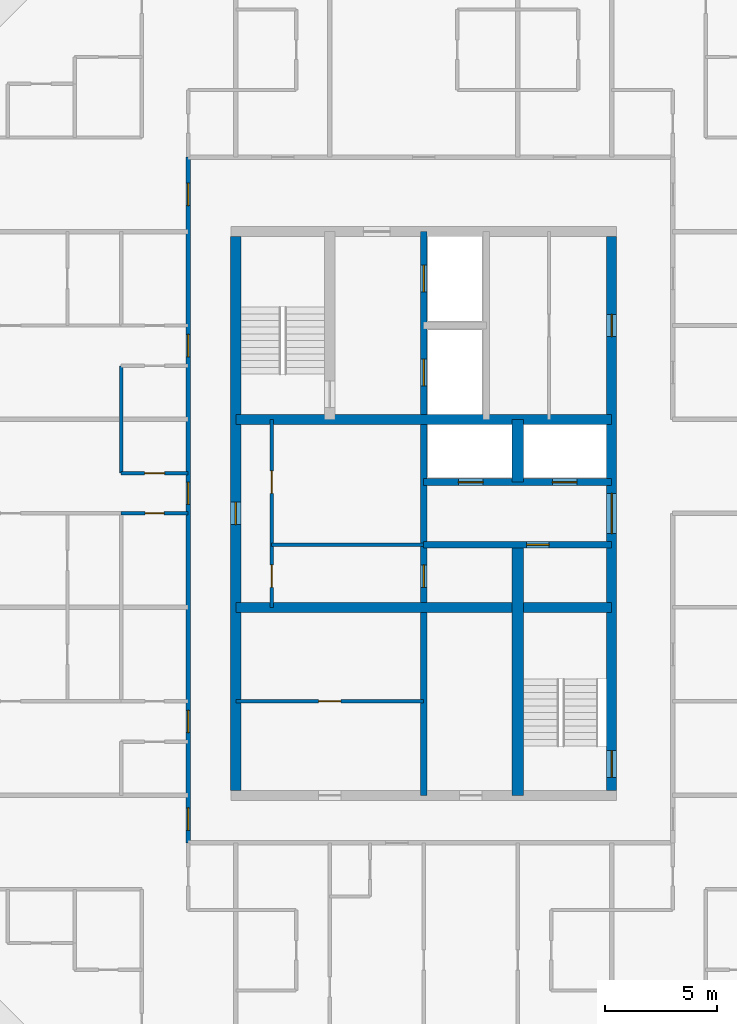
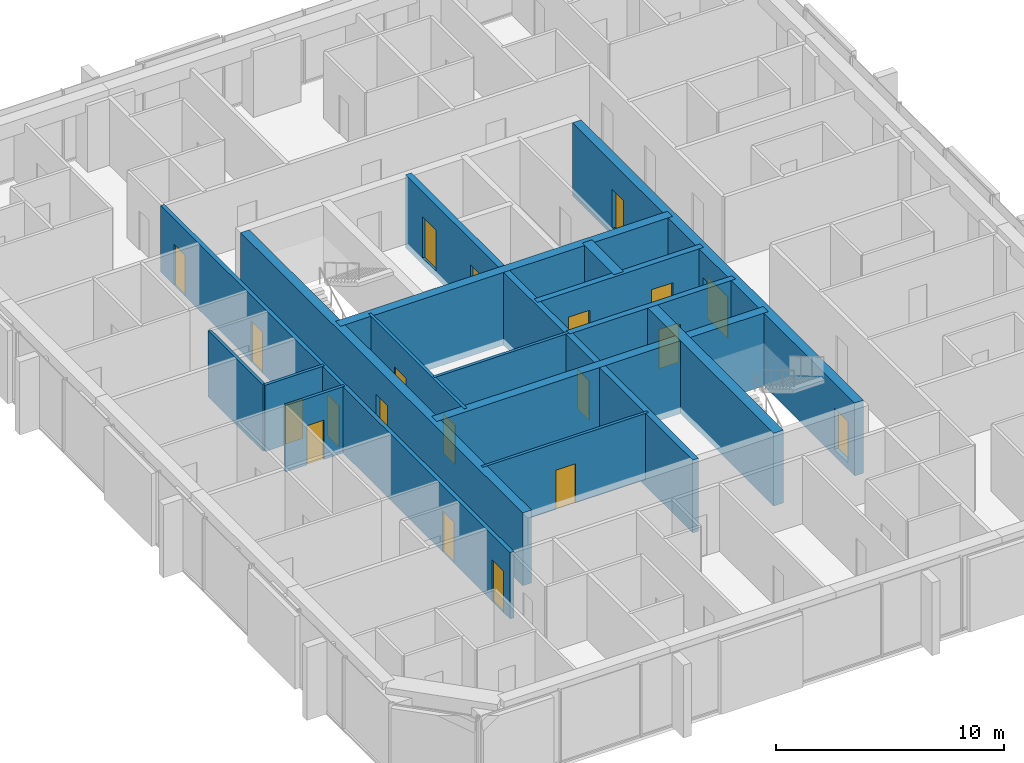
# One storey, part 8 of 12: 20 doors, 16 walls, 20 openings.
"""IFC4 building model written with IfcOpenShell, lengths in metres."""

from ifc_helpers import new_model, si_unit, direction, frame, frame_2d, origin, place, context, subcontext, project, spatial, rectangle, extrude, material, layer, layer_set, type_object, element, fill, save


model = new_model("IFC4")

# Units and contexts
model_context = context("Model", 3, precision=1e-05, world=origin(), true_north=direction((0.0, 1.0)))
body_context = subcontext(model_context, "Body", "Model", "MODEL_VIEW")
ifc_project = project(units=[si_unit("LENGTHUNIT", "METRE"), si_unit("AREAUNIT", "SQUARE_METRE"), si_unit("VOLUMEUNIT", "CUBIC_METRE"), si_unit("PLANEANGLEUNIT", "RADIAN"), si_unit("MASSUNIT", "GRAM", prefix="KILO")], contexts=[model_context])

# Site, building, storey
site_placement = place(None, origin())
site = spatial("IfcSite", under=ifc_project, at=site_placement, CompositionType="ELEMENT")
building_placement = place(site_placement, origin())
building = spatial("IfcBuilding", under=site, at=building_placement, Name="Dunama Terrace Hotel", CompositionType="ELEMENT")
storey_placement = place(building_placement, frame((0.0, 0.0, 256.800048828125)))
storey = spatial("IfcBuildingStorey", under=building, at=storey_placement, Name="L66", CompositionType="ELEMENT", Elevation=256.800048828125)

# Wall, opening, door
ifc_material_1 = material(Name="Gypsum board partition", Category="masonry")
ifc_layer_1 = layer(ifc_material_1, 0.14990234375)
ifc_layer_set_1 = layer_set([ifc_layer_1], Name="Bathroom partition 150")
wall_type_1 = type_object("IfcWallType", Name="Bathroom partition 150", PredefinedType="PARTITIONING", material=ifc_layer_set_1)
wall_1_placement = place(storey_placement, frame((20.074951171875, 29.39990234375, 0.0), z_axis=(0.0, 0.0, 1.0), x_axis=(1.0, 0.0, 0.0)))
wall_1 = element("IfcWall", 1, at=wall_1_placement, inside=storey, type_object=wall_type_1, Name="Bathroom partition 150 L66", PredefinedType="PARTITIONING", context=body_context, shape_type="SweptSolid", body=[
    extrude(rectangle(XDim=3.0, YDim=0.14990234375, at=frame_2d((1.5, 0.0))), origin(), (0.0, 0.0, 1.0), 3.550048828125),
])
opening_1_placement = place(wall_1_placement, frame((1.074951171875, 0.0, 0.0)))
opening_1 = element("IfcOpeningElement", 2, at=opening_1_placement, cuts=wall_1, Name="Opening L65-67-036", PredefinedType="OPENING", context=body_context, shape_type="SweptSolid", body=[
    extrude(rectangle(XDim=0.85009765625, YDim=2.10009765625, at=frame_2d((0.425048828125, 1.050048828125))), frame((0.0, 0.0849609375, 0.0), z_axis=(0.0, -1.0, 0.0), x_axis=(1.0, 0.0, 0.0)), (0.0, 0.0, 1.0), 0.169921875),
])
ifc_material_2 = material(Name="Timber door with steel frame", Category="steel")
door_type_1 = type_object("IfcDoorType", Name="Bathroom door 850", OperationType="SINGLE_SWING_LEFT", PredefinedType="DOOR", material=ifc_material_2)
door_1_placement = place(opening_1_placement, frame((0.85009765625, 0.0, 0.0), z_axis=(0.0, 0.0, 1.0), x_axis=(-1.0, 0.0, 0.0)))
door_1 = element("IfcDoor", 3, at=door_1_placement, inside=storey, type_object=door_type_1, Name="Door to residence bathroom L65-67-036, type D2", OperationType="SINGLE_SWING_LEFT", OverallHeight=2.10009765625, OverallWidth=0.85009765625, PredefinedType="DOOR", context=body_context, shape_type="SweptSolid", body=[
    extrude(rectangle(XDim=0.85009765625, YDim=2.10009765625, at=frame_2d((0.425048828125, 1.050048828125))), frame((0.0, 0.025146484375, 0.0), z_axis=(0.0, -1.0, 0.0), x_axis=(1.0, 0.0, 0.0)), (0.0, 0.0, 1.0), 0.050048828125),
])
fill(opening_1, door_1)

# Wall, openings, doors
ifc_material_3 = material(Name="Concrete C50/60", Category="concrete")
ifc_layer_2 = layer(ifc_material_3, 0.300048828125)
ifc_layer_set_2 = layer_set([ifc_layer_2], Name="Core inner wall 300")
wall_type_2 = type_object("IfcWallType", Name="Core inner wall 300", PredefinedType="SHEAR", material=ifc_layer_set_2)
wall_2_placement = place(storey_placement, frame((33.60009765625, 16.800048828125, -0.35009765625), z_axis=(0.0, 0.0, 1.0), x_axis=(0.0, 1.0, 0.0)))
wall_2 = element("IfcWall", 4, at=wall_2_placement, inside=storey, type_object=wall_type_2, Name="Core inner wall 300 L66", PredefinedType="SHEAR", context=body_context, shape_type="SweptSolid", body=[
    extrude(rectangle(XDim=25.199951171875, YDim=0.300048828125, at=frame_2d((12.60009765625, 0.0))), origin(), (0.0, 0.0, 1.0), 3.900146484375),
])
opening_2_placement = place(wall_2_placement, frame((22.5, 0.0, 0.35009765625)))
opening_2 = element("IfcOpeningElement", 5, at=opening_2_placement, cuts=wall_2, Name="Opening L65-67-005", PredefinedType="OPENING", context=body_context, shape_type="SweptSolid", body=[
    extrude(rectangle(XDim=1.199951171875, YDim=2.199951171875, at=frame_2d((0.60009765625, 1.10009765625))), frame((0.0, 0.159912109375, 0.0), z_axis=(0.0, -1.0, 0.0), x_axis=(1.0, 0.0, 0.0)), (0.0, 0.0, 1.0), 0.320068359375),
])
opening_3_placement = place(wall_2_placement, frame((18.300048828125, 0.0, 0.35009765625)))
opening_3 = element("IfcOpeningElement", 6, at=opening_3_placement, cuts=wall_2, Name="Opening L65-67-006", PredefinedType="OPENING", context=body_context, shape_type="SweptSolid", body=[
    extrude(rectangle(XDim=1.199951171875, YDim=2.199951171875, at=frame_2d((0.60009765625, 1.10009765625))), frame((0.0, 0.159912109375, 0.0), z_axis=(0.0, -1.0, 0.0), x_axis=(1.0, 0.0, 0.0)), (0.0, 0.0, 1.0), 0.320068359375),
])
opening_4_placement = place(wall_2_placement, frame((9.300048828125, 0.0, 0.35009765625)))
opening_4 = element("IfcOpeningElement", 7, at=opening_4_placement, cuts=wall_2, Name="Opening L65-67-067", PredefinedType="OPENING", context=body_context, shape_type="SweptSolid", body=[
    extrude(rectangle(XDim=1.0, YDim=2.10009765625, at=frame_2d((0.5, 1.050048828125))), frame((0.0, 0.159912109375, 0.0), z_axis=(0.0, -1.0, 0.0), x_axis=(1.0, 0.0, 0.0)), (0.0, 0.0, 1.0), 0.320068359375),
])
ifc_material_4 = material(Name="Stainless steel lift door", Category="steel")
door_type_2 = type_object("IfcDoorType", Name="Firefighting lift landing door 1200", OperationType="DOUBLE_DOOR_SLIDING", PredefinedType="DOOR", material=ifc_material_4)
door_2_placement = place(opening_2_placement, origin())
door_2 = element("IfcDoor", 8, at=door_2_placement, inside=storey, type_object=door_type_2, Name="Landing door FL1 L65-67-005, type LD2", OperationType="DOUBLE_DOOR_SLIDING", OverallHeight=2.199951171875, OverallWidth=1.199951171875, PredefinedType="DOOR", context=body_context, shape_type="SweptSolid", body=[
    extrude(rectangle(XDim=1.199951171875, YDim=2.199951171875, at=frame_2d((0.60009765625, 1.10009765625))), frame((0.0, 0.02490234375, 0.0), z_axis=(0.0, -1.0, 0.0), x_axis=(1.0, 0.0, 0.0)), (0.0, 0.0, 1.0), 0.050048828125),
])
fill(opening_2, door_2)
door_3_placement = place(opening_3_placement, origin())
door_3 = element("IfcDoor", 9, at=door_3_placement, inside=storey, type_object=door_type_2, Name="Landing door FL2 L65-67-006, type LD2", OperationType="DOUBLE_DOOR_SLIDING", OverallHeight=2.199951171875, OverallWidth=1.199951171875, PredefinedType="DOOR", context=body_context, shape_type="SweptSolid", body=[
    extrude(rectangle(XDim=1.199951171875, YDim=2.199951171875, at=frame_2d((0.60009765625, 1.10009765625))), frame((0.0, 0.02490234375, 0.0), z_axis=(0.0, -1.0, 0.0), x_axis=(1.0, 0.0, 0.0)), (0.0, 0.0, 1.0), 0.050048828125),
])
fill(opening_3, door_3)
ifc_material_5 = material(Name="Timber door with steel frame", Category="steel")
door_type_3 = type_object("IfcDoorType", Name="Service door 1000", OperationType="SINGLE_SWING_LEFT", PredefinedType="DOOR", material=ifc_material_5)
door_4_placement = place(opening_4_placement, frame((1.0, 0.0, 0.0), z_axis=(0.0, 0.0, 1.0), x_axis=(-1.0, 0.0, 0.0)))
door_4 = element("IfcDoor", 10, at=door_4_placement, inside=storey, type_object=door_type_3, Name="Door to service riser L65-67-067, type D7", OperationType="SINGLE_SWING_RIGHT", OverallHeight=2.10009765625, OverallWidth=1.0, PredefinedType="DOOR", context=body_context, shape_type="SweptSolid", body=[
    extrude(rectangle(XDim=1.0, YDim=2.10009765625, at=frame_2d((0.5, 1.050048828125))), frame((0.0, 0.025146484375, 0.0), z_axis=(0.0, -1.0, 0.0), x_axis=(1.0, 0.0, 0.0)), (0.0, 0.0, 1.0), 0.050048828125),
])
fill(opening_4, door_4)

# Wall, opening, door
wall_3_placement = place(storey_placement, frame((33.60009765625, 28.0, -0.35009765625), z_axis=(0.0, 0.0, 1.0), x_axis=(1.0, 0.0, 0.0)))
wall_3 = element("IfcWall", 11, at=wall_3_placement, inside=storey, type_object=wall_type_2, Name="Core inner wall 300 L66", PredefinedType="SHEAR", context=body_context, shape_type="SweptSolid", body=[
    extrude(rectangle(XDim=8.39990234375, YDim=0.300048828125, at=frame_2d((4.199951171875, 0.0))), origin(), (0.0, 0.0, 1.0), 3.900146484375),
])
opening_5_placement = place(wall_3_placement, frame((4.60009765625, 0.0, 0.35009765625)))
opening_5 = element("IfcOpeningElement", 12, at=opening_5_placement, cuts=wall_3, Name="Opening L65-67-068", PredefinedType="OPENING", context=body_context, shape_type="SweptSolid", body=[
    extrude(rectangle(XDim=1.0, YDim=2.10009765625, at=frame_2d((0.5, 1.050048828125))), frame((0.0, 0.159912109375, 0.0), z_axis=(0.0, -1.0, 0.0), x_axis=(1.0, 0.0, 0.0)), (0.0, 0.0, 1.0), 0.320068359375),
])
door_5_placement = place(opening_5_placement, frame((1.0, 0.0, 0.0), z_axis=(0.0, 0.0, 1.0), x_axis=(-1.0, 0.0, 0.0)))
door_5 = element("IfcDoor", 13, at=door_5_placement, inside=storey, type_object=door_type_3, Name="Door to ice and vending room L65-67-068, type D7", OperationType="SINGLE_SWING_RIGHT", OverallHeight=2.10009765625, OverallWidth=1.0, PredefinedType="DOOR", context=body_context, shape_type="SweptSolid", body=[
    extrude(rectangle(XDim=1.0, YDim=2.10009765625, at=frame_2d((0.5, 1.050048828125))), frame((0.0, 0.025146484375, 0.0), z_axis=(0.0, -1.0, 0.0), x_axis=(1.0, 0.0, 0.0)), (0.0, 0.0, 1.0), 0.050048828125),
])
fill(opening_5, door_5)

# Wall, openings, doors
wall_4_placement = place(storey_placement, frame((33.60009765625, 30.800048828125, -0.35009765625), z_axis=(0.0, 0.0, 1.0), x_axis=(1.0, 0.0, 0.0)))
wall_4 = element("IfcWall", 14, at=wall_4_placement, inside=storey, type_object=wall_type_2, Name="Core inner wall 300 L66", PredefinedType="SHEAR", context=body_context, shape_type="SweptSolid", body=[
    extrude(rectangle(XDim=8.39990234375, YDim=0.300048828125, at=frame_2d((4.199951171875, 0.0))), origin(), (0.0, 0.0, 1.0), 3.900146484375),
])
opening_6_placement = place(wall_4_placement, frame((1.550048828125, 0.0, 0.35009765625)))
opening_6 = element("IfcOpeningElement", 15, at=opening_6_placement, cuts=wall_4, Name="Opening L65-67-003", PredefinedType="OPENING", context=body_context, shape_type="SweptSolid", body=[
    extrude(rectangle(XDim=1.10009765625, YDim=2.199951171875, at=frame_2d((0.550048828125, 1.10009765625))), frame((0.0, 0.159912109375, 0.0), z_axis=(0.0, -1.0, 0.0), x_axis=(1.0, 0.0, 0.0)), (0.0, 0.0, 1.0), 0.320068359375),
])
opening_7_placement = place(wall_4_placement, frame((5.75, 0.0, 0.35009765625)))
opening_7 = element("IfcOpeningElement", 16, at=opening_7_placement, cuts=wall_4, Name="Opening L65-67-004", PredefinedType="OPENING", context=body_context, shape_type="SweptSolid", body=[
    extrude(rectangle(XDim=1.10009765625, YDim=2.199951171875, at=frame_2d((0.550048828125, 1.10009765625))), frame((0.0, 0.159912109375, 0.0), z_axis=(0.0, -1.0, 0.0), x_axis=(1.0, 0.0, 0.0)), (0.0, 0.0, 1.0), 0.320068359375),
])
ifc_material_6 = material(Name="Stainless steel lift door", Category="steel")
door_type_4 = type_object("IfcDoorType", Name="Lift landing door 1100", OperationType="DOUBLE_DOOR_SLIDING", PredefinedType="DOOR", material=ifc_material_6)
door_6_placement = place(opening_6_placement, origin())
door_6 = element("IfcDoor", 17, at=door_6_placement, inside=storey, type_object=door_type_4, Name="Landing door PD1 L65-67-003, type LD1", OperationType="DOUBLE_DOOR_SLIDING", OverallHeight=2.199951171875, OverallWidth=1.10009765625, PredefinedType="DOOR", context=body_context, shape_type="SweptSolid", body=[
    extrude(rectangle(XDim=1.10009765625, YDim=2.199951171875, at=frame_2d((0.550048828125, 1.10009765625))), frame((0.0, 0.02490234375, 0.0), z_axis=(0.0, -1.0, 0.0), x_axis=(1.0, 0.0, 0.0)), (0.0, 0.0, 1.0), 0.050048828125),
])
fill(opening_6, door_6)
door_7_placement = place(opening_7_placement, origin())
door_7 = element("IfcDoor", 18, at=door_7_placement, inside=storey, type_object=door_type_4, Name="Landing door PD2 L65-67-004, type LD1", OperationType="DOUBLE_DOOR_SLIDING", OverallHeight=2.199951171875, OverallWidth=1.10009765625, PredefinedType="DOOR", context=body_context, shape_type="SweptSolid", body=[
    extrude(rectangle(XDim=1.10009765625, YDim=2.199951171875, at=frame_2d((0.550048828125, 1.10009765625))), frame((0.0, 0.02490234375, 0.0), z_axis=(0.0, -1.0, 0.0), x_axis=(1.0, 0.0, 0.0)), (0.0, 0.0, 1.0), 0.050048828125),
])
fill(opening_7, door_7)

# Walls
ifc_material_7 = material(Name="Concrete C50/60", Category="concrete")
ifc_layer_3 = layer(ifc_material_7, 0.449951171875)
ifc_layer_set_3 = layer_set([ifc_layer_3], Name="Core inner wall 450")
wall_type_3 = type_object("IfcWallType", Name="Core inner wall 450", PredefinedType="SHEAR", material=ifc_layer_set_3)
for number, where, z_axis, x_axis, name in (
    (19, (25.199951171875, 25.199951171875, -0.35009765625), (0.0, 0.0, 1.0), (1.0, 0.0, 0.0), "Core inner wall 450 L66"),
    (20, (25.199951171875, 33.60009765625, -0.35009765625), (0.0, 0.0, 1.0), (1.0, 0.0, 0.0), "Core inner wall 450 L66"),
):
    element("IfcWall", number, at=place(storey_placement, frame(where, z_axis=z_axis, x_axis=x_axis)), inside=storey, type_object=wall_type_3, Name=name, PredefinedType="SHEAR", context=body_context, shape_type="SweptSolid", body=[
        extrude(rectangle(XDim=16.800048828125, YDim=0.449951171875, at=frame_2d((8.39990234375, 0.0))), origin(), (0.0, 0.0, 1.0), 3.900146484375),
    ])
ifc_material_8 = material(Name="Concrete C50/60", Category="concrete")
ifc_layer_4 = layer(ifc_material_8, 0.5)
ifc_layer_set_4 = layer_set([ifc_layer_4], Name="Core inner wall 500")
wall_type_4 = type_object("IfcWallType", Name="Core inner wall 500", PredefinedType="SHEAR", material=ifc_layer_set_4)
wall_5_placement = place(storey_placement, frame((37.800048828125, 16.800048828125, -0.35009765625), z_axis=(0.0, 0.0, 1.0), x_axis=(0.0, 1.0, 0.0)))
element("IfcWall", 21, at=wall_5_placement, inside=storey, type_object=wall_type_4, Name="Core inner wall 500 L66", PredefinedType="SHEAR", context=body_context, shape_type="SweptSolid", body=[
    extrude(rectangle(XDim=11.199951171875, YDim=0.5, at=frame_2d((5.60009765625, 0.0))), origin(), (0.0, 0.0, 1.0), 3.900146484375),
])
wall_6_placement = place(storey_placement, frame((37.800048828125, 30.800048828125, -0.35009765625), z_axis=(0.0, 0.0, 1.0), x_axis=(0.0, 1.0, 0.0)))
element("IfcWall", 22, at=wall_6_placement, inside=storey, type_object=wall_type_4, Name="Core inner wall 500 L66", PredefinedType="SHEAR", context=body_context, shape_type="SweptSolid", body=[
    extrude(rectangle(XDim=2.800048828125, YDim=0.5, at=frame_2d((1.39990234375, 0.0))), origin(), (0.0, 0.0, 1.0), 3.900146484375),
])

# Wall, openings, doors
ifc_material_9 = material(Name="Concrete C50/60", Category="concrete")
ifc_layer_5 = layer(ifc_material_9, 0.449951171875)
ifc_layer_set_5 = layer_set([ifc_layer_5], Name="Core wall 450")
wall_type_5 = type_object("IfcWallType", Name="Core wall 450", PredefinedType="SHEAR", material=ifc_layer_set_5)
wall_7_placement = place(storey_placement, frame((42.0, 17.02490234375, -0.35009765625), z_axis=(0.0, 0.0, 1.0), x_axis=(0.0, 1.0, 0.0)))
wall_7 = element("IfcWall", 23, at=wall_7_placement, inside=storey, type_object=wall_type_5, Name="Core wall east L66", PredefinedType="SHEAR", context=body_context, shape_type="SweptSolid", body=[
    extrude(rectangle(XDim=24.75, YDim=0.449951171875, at=frame_2d((12.375, 0.0))), origin(), (0.0, 0.0, 1.0), 3.900146484375),
])
opening_8_placement = place(wall_7_placement, frame((0.574951171875, 0.0, 0.35009765625)))
opening_8 = element("IfcOpeningElement", 24, at=opening_8_placement, cuts=wall_7, Name="Opening L65-67-002", PredefinedType="OPENING", context=body_context, shape_type="SweptSolid", body=[
    extrude(rectangle(XDim=1.199951171875, YDim=2.199951171875, at=frame_2d((0.60009765625, 1.10009765625))), frame((0.0, 0.23486328125, 0.0), z_axis=(0.0, -1.0, 0.0), x_axis=(1.0, 0.0, 0.0)), (0.0, 0.0, 1.0), 0.469970703125),
])
opening_9_placement = place(wall_7_placement, frame((11.47509765625, 0.0, 0.35009765625)))
opening_9 = element("IfcOpeningElement", 25, at=opening_9_placement, cuts=wall_7, Name="Opening L65-67-069", PredefinedType="OPENING", context=body_context, shape_type="SweptSolid", body=[
    extrude(rectangle(XDim=1.800048828125, YDim=2.199951171875, at=frame_2d((0.89990234375, 1.10009765625))), frame((0.0, 0.23486328125, 0.0), z_axis=(0.0, -1.0, 0.0), x_axis=(1.0, 0.0, 0.0)), (0.0, 0.0, 1.0), 0.469970703125),
])
opening_10_placement = place(wall_7_placement, frame((20.27490234375, 0.0, 0.35009765625)))
opening_10 = element("IfcOpeningElement", 26, at=opening_10_placement, cuts=wall_7, Name="Opening L65-67-071", PredefinedType="OPENING", context=body_context, shape_type="SweptSolid", body=[
    extrude(rectangle(XDim=1.0, YDim=2.10009765625, at=frame_2d((0.5, 1.050048828125))), frame((0.0, 0.23486328125, 0.0), z_axis=(0.0, -1.0, 0.0), x_axis=(1.0, 0.0, 0.0)), (0.0, 0.0, 1.0), 0.469970703125),
])
ifc_material_10 = material(Name="Timber door with steel frame", Category="steel")
door_type_5 = type_object("IfcDoorType", Name="Lift lobby double door 1800", OperationType="DOUBLE_DOOR_DOUBLE_SWING", PredefinedType="DOOR", material=ifc_material_10)
door_8_placement = place(opening_9_placement, origin())
door_8 = element("IfcDoor", 27, at=door_8_placement, inside=storey, type_object=door_type_5, Name="Door to lift lobby L65-67-069, type D3", OperationType="DOUBLE_DOOR_DOUBLE_SWING", OverallHeight=2.199951171875, OverallWidth=1.800048828125, PredefinedType="DOOR", context=body_context, shape_type="SweptSolid", body=[
    extrude(rectangle(XDim=1.800048828125, YDim=2.199951171875, at=frame_2d((0.89990234375, 1.10009765625))), frame((0.0, 0.02490234375, 0.0), z_axis=(0.0, -1.0, 0.0), x_axis=(1.0, 0.0, 0.0)), (0.0, 0.0, 1.0), 0.050048828125),
])
fill(opening_9, door_8)
door_9_placement = place(opening_10_placement, origin())
door_9 = element("IfcDoor", 28, at=door_9_placement, inside=storey, type_object=door_type_3, Name="Door to housekeeping store L65-67-071, type D7", OperationType="SINGLE_SWING_LEFT", OverallHeight=2.10009765625, OverallWidth=1.0, PredefinedType="DOOR", context=body_context, shape_type="SweptSolid", body=[
    extrude(rectangle(XDim=1.0, YDim=2.10009765625, at=frame_2d((0.5, 1.050048828125))), frame((0.0, 0.02490234375, 0.0), z_axis=(0.0, -1.0, 0.0), x_axis=(1.0, 0.0, 0.0)), (0.0, 0.0, 1.0), 0.050048828125),
])
fill(opening_10, door_9)
ifc_material_11 = material(Name="Timber door with steel frame", Category="steel")
door_type_6 = type_object("IfcDoorType", Name="Stair door 1200", OperationType="SINGLE_SWING_LEFT", PredefinedType="DOOR", material=ifc_material_11)
door_10_placement = place(opening_8_placement, origin())
door_10 = element("IfcDoor", 29, at=door_10_placement, inside=storey, type_object=door_type_6, Name="Stair door ST2 L65-67-002, type D5", OperationType="SINGLE_SWING_LEFT", OverallHeight=2.199951171875, OverallWidth=1.199951171875, PredefinedType="DOOR", context=body_context, shape_type="SweptSolid", body=[
    extrude(rectangle(XDim=1.199951171875, YDim=2.199951171875, at=frame_2d((0.60009765625, 1.10009765625))), frame((0.0, 0.02490234375, 0.0), z_axis=(0.0, -1.0, 0.0), x_axis=(1.0, 0.0, 0.0)), (0.0, 0.0, 1.0), 0.050048828125),
])
fill(opening_8, door_10)

# Wall, opening, door
wall_8_placement = place(storey_placement, frame((25.199951171875, 41.77490234375, -0.35009765625), z_axis=(0.0, 0.0, 1.0), x_axis=(0.0, -1.0, 0.0)))
wall_8 = element("IfcWall", 30, at=wall_8_placement, inside=storey, type_object=wall_type_5, Name="Core wall west L66", PredefinedType="SHEAR", context=body_context, shape_type="SweptSolid", body=[
    extrude(rectangle(XDim=24.75, YDim=0.449951171875, at=frame_2d((12.375, 0.0))), origin(), (0.0, 0.0, 1.0), 3.900146484375),
])
opening_11_placement = place(wall_8_placement, frame((11.875, 0.0, 0.35009765625)))
opening_11 = element("IfcOpeningElement", 31, at=opening_11_placement, cuts=wall_8, Name="Opening L65-67-064", PredefinedType="OPENING", context=body_context, shape_type="SweptSolid", body=[
    extrude(rectangle(XDim=1.0, YDim=2.10009765625, at=frame_2d((0.5, 1.050048828125))), frame((0.0, 0.23486328125, 0.0), z_axis=(0.0, -1.0, 0.0), x_axis=(1.0, 0.0, 0.0)), (0.0, 0.0, 1.0), 0.469970703125),
])
door_11_placement = place(opening_11_placement, origin())
door_11 = element("IfcDoor", 32, at=door_11_placement, inside=storey, type_object=door_type_3, Name="Door to staff passage L65-67-064, type D7", OperationType="SINGLE_SWING_LEFT", OverallHeight=2.10009765625, OverallWidth=1.0, PredefinedType="DOOR", context=body_context, shape_type="SweptSolid", body=[
    extrude(rectangle(XDim=1.0, YDim=2.10009765625, at=frame_2d((0.5, 1.050048828125))), frame((0.0, 0.02490234375, 0.0), z_axis=(0.0, -1.0, 0.0), x_axis=(1.0, 0.0, 0.0)), (0.0, 0.0, 1.0), 0.050048828125),
])
fill(opening_11, door_11)

# Wall, openings, doors
ifc_material_12 = material(Name="Concrete blockwork", Category="masonry")
ifc_layer_6 = layer(ifc_material_12, 0.199951171875)
ifc_layer_set_6 = layer_set([ifc_layer_6], Name="Corridor partition 200")
wall_type_6 = type_object("IfcWallType", Name="Corridor partition 200", PredefinedType="PARTITIONING", material=ifc_layer_set_6)
wall_9_placement = place(storey_placement, frame((23.074951171875, 14.675048828125, 0.0), z_axis=(0.0, 0.0, 1.0), x_axis=(0.0, 1.0, 0.0)))
wall_9 = element("IfcWall", 33, at=wall_9_placement, inside=storey, type_object=wall_type_6, Name="Corridor partition 200 L66", PredefinedType="PARTITIONING", context=body_context, shape_type="SweptSolid", body=[
    extrude(rectangle(XDim=30.64990234375, YDim=0.199951171875, at=frame_2d((15.324951171875, 0.0))), origin(), (0.0, 0.0, 1.0), 3.550048828125),
])
opening_12_placement = place(wall_9_placement, frame((4.925048828125, 0.0, 0.0)))
opening_12 = element("IfcOpeningElement", 34, at=opening_12_placement, cuts=wall_9, Name="Opening L65-67-029", PredefinedType="OPENING", context=body_context, shape_type="SweptSolid", body=[
    extrude(rectangle(XDim=1.0, YDim=2.199951171875, at=frame_2d((0.5, 1.10009765625))), frame((0.0, 0.10986328125, 0.0), z_axis=(0.0, -1.0, 0.0), x_axis=(1.0, 0.0, 0.0)), (0.0, 0.0, 1.0), 0.219970703125),
])
opening_13_placement = place(wall_9_placement, frame((15.125, 0.0, 0.0)))
opening_13 = element("IfcOpeningElement", 35, at=opening_13_placement, cuts=wall_9, Name="Opening L65-67-034", PredefinedType="OPENING", context=body_context, shape_type="SweptSolid", body=[
    extrude(rectangle(XDim=1.0, YDim=2.199951171875, at=frame_2d((0.5, 1.10009765625))), frame((0.0, 0.10986328125, 0.0), z_axis=(0.0, -1.0, 0.0), x_axis=(1.0, 0.0, 0.0)), (0.0, 0.0, 1.0), 0.219970703125),
])
opening_14_placement = place(wall_9_placement, frame((21.72509765625, 0.0, 0.0)))
opening_14 = element("IfcOpeningElement", 36, at=opening_14_placement, cuts=wall_9, Name="Opening L65-67-039", PredefinedType="OPENING", context=body_context, shape_type="SweptSolid", body=[
    extrude(rectangle(XDim=1.0, YDim=2.199951171875, at=frame_2d((0.5, 1.10009765625))), frame((0.0, 0.10986328125, 0.0), z_axis=(0.0, -1.0, 0.0), x_axis=(1.0, 0.0, 0.0)), (0.0, 0.0, 1.0), 0.219970703125),
])
opening_15_placement = place(wall_9_placement, frame((0.56298828125, 0.0, 0.0)))
opening_15 = element("IfcOpeningElement", 37, at=opening_15_placement, cuts=wall_9, Name="Opening L65-67-044", PredefinedType="OPENING", context=body_context, shape_type="SweptSolid", body=[
    extrude(rectangle(XDim=1.0, YDim=2.199951171875, at=frame_2d((0.5, 1.10009765625))), frame((0.0, 0.10986328125, 0.0), z_axis=(0.0, -1.0, 0.0), x_axis=(1.0, 0.0, 0.0)), (0.0, 0.0, 1.0), 0.219970703125),
])
opening_16_placement = place(wall_9_placement, frame((28.488037109375, 0.0, 0.0)))
opening_16 = element("IfcOpeningElement", 38, at=opening_16_placement, cuts=wall_9, Name="Opening L65-67-059", PredefinedType="OPENING", context=body_context, shape_type="SweptSolid", body=[
    extrude(rectangle(XDim=1.0, YDim=2.199951171875, at=frame_2d((0.5, 1.10009765625))), frame((0.0, 0.10986328125, 0.0), z_axis=(0.0, -1.0, 0.0), x_axis=(1.0, 0.0, 0.0)), (0.0, 0.0, 1.0), 0.219970703125),
])
ifc_material_13 = material(Name="Timber door with steel frame", Category="steel")
door_type_7 = type_object("IfcDoorType", Name="Guest room door 1000", OperationType="SINGLE_SWING_LEFT", PredefinedType="DOOR", material=ifc_material_13)
door_12_placement = place(opening_12_placement, origin())
door_12 = element("IfcDoor", 39, at=door_12_placement, inside=storey, type_object=door_type_7, Name="Door to residence living room L65-67-029, type D1", OperationType="SINGLE_SWING_RIGHT", OverallHeight=2.199951171875, OverallWidth=1.0, PredefinedType="DOOR", context=body_context, shape_type="SweptSolid", body=[
    extrude(rectangle(XDim=1.0, YDim=2.199951171875, at=frame_2d((0.5, 1.10009765625))), frame((0.0, 0.02490234375, 0.0), z_axis=(0.0, -1.0, 0.0), x_axis=(1.0, 0.0, 0.0)), (0.0, 0.0, 1.0), 0.050048828125),
])
fill(opening_12, door_12)
door_13_placement = place(opening_13_placement, origin())
door_13 = element("IfcDoor", 40, at=door_13_placement, inside=storey, type_object=door_type_7, Name="Door to residence living room L65-67-034, type D1", OperationType="SINGLE_SWING_RIGHT", OverallHeight=2.199951171875, OverallWidth=1.0, PredefinedType="DOOR", context=body_context, shape_type="SweptSolid", body=[
    extrude(rectangle(XDim=1.0, YDim=2.199951171875, at=frame_2d((0.5, 1.10009765625))), frame((0.0, 0.02490234375, 0.0), z_axis=(0.0, -1.0, 0.0), x_axis=(1.0, 0.0, 0.0)), (0.0, 0.0, 1.0), 0.050048828125),
])
fill(opening_13, door_13)
door_14_placement = place(opening_14_placement, origin())
door_14 = element("IfcDoor", 41, at=door_14_placement, inside=storey, type_object=door_type_7, Name="Door to residence living room L65-67-039, type D1", OperationType="SINGLE_SWING_RIGHT", OverallHeight=2.199951171875, OverallWidth=1.0, PredefinedType="DOOR", context=body_context, shape_type="SweptSolid", body=[
    extrude(rectangle(XDim=1.0, YDim=2.199951171875, at=frame_2d((0.5, 1.10009765625))), frame((0.0, 0.02490234375, 0.0), z_axis=(0.0, -1.0, 0.0), x_axis=(1.0, 0.0, 0.0)), (0.0, 0.0, 1.0), 0.050048828125),
])
fill(opening_14, door_14)
door_15_placement = place(opening_15_placement, origin())
door_15 = element("IfcDoor", 42, at=door_15_placement, inside=storey, type_object=door_type_7, Name="Door to grand corner suite living room L65-67-044, type D1", OperationType="SINGLE_SWING_RIGHT", OverallHeight=2.199951171875, OverallWidth=1.0, PredefinedType="DOOR", context=body_context, shape_type="SweptSolid", body=[
    extrude(rectangle(XDim=1.0, YDim=2.199951171875, at=frame_2d((0.5, 1.10009765625))), frame((0.0, 0.02490234375, 0.0), z_axis=(0.0, -1.0, 0.0), x_axis=(1.0, 0.0, 0.0)), (0.0, 0.0, 1.0), 0.050048828125),
])
fill(opening_15, door_15)
door_16_placement = place(opening_16_placement, origin())
door_16 = element("IfcDoor", 43, at=door_16_placement, inside=storey, type_object=door_type_7, Name="Door to grand corner suite living room L65-67-059, type D1", OperationType="SINGLE_SWING_RIGHT", OverallHeight=2.199951171875, OverallWidth=1.0, PredefinedType="DOOR", context=body_context, shape_type="SweptSolid", body=[
    extrude(rectangle(XDim=1.0, YDim=2.199951171875, at=frame_2d((0.5, 1.10009765625))), frame((0.0, 0.02490234375, 0.0), z_axis=(0.0, -1.0, 0.0), x_axis=(1.0, 0.0, 0.0)), (0.0, 0.0, 1.0), 0.050048828125),
])
fill(opening_16, door_16)

# Wall
ifc_material_14 = material(Name="Gypsum board partition", Category="masonry")
ifc_layer_7 = layer(ifc_material_14, 0.14990234375)
ifc_layer_set_7 = layer_set([ifc_layer_7], Name="Room partition 150")
wall_type_7 = type_object("IfcWallType", Name="Room partition 150", PredefinedType="PARTITIONING", material=ifc_layer_set_7)
wall_10_placement = place(storey_placement, frame((20.074951171875, 31.199951171875, 0.0), z_axis=(0.0, 0.0, 1.0), x_axis=(0.0, 1.0, 0.0)))
element("IfcWall", 44, at=wall_10_placement, inside=storey, type_object=wall_type_7, Name="Room partition 150 L66", PredefinedType="PARTITIONING", context=body_context, shape_type="SweptSolid", body=[
    extrude(rectangle(XDim=4.800048828125, YDim=0.14990234375, at=frame_2d((2.39990234375, 0.0))), origin(), (0.0, 0.0, 1.0), 3.550048828125),
])

# Wall, openings, doors
wall_11_placement = place(storey_placement, frame((26.800048828125, 25.199951171875, 0.0), z_axis=(0.0, 0.0, 1.0), x_axis=(0.0, 1.0, 0.0)))
wall_11 = element("IfcWall", 45, at=wall_11_placement, inside=storey, type_object=wall_type_7, Name="Room partition 150 L66", PredefinedType="PARTITIONING", context=body_context, shape_type="SweptSolid", body=[
    extrude(rectangle(XDim=8.400146484375, YDim=0.14990234375, at=frame_2d((4.2001953125, 0.0))), origin(), (0.0, 0.0, 1.0), 3.550048828125),
])
opening_17_placement = place(wall_11_placement, frame((0.89990234375, 0.0, 0.0)))
opening_17 = element("IfcOpeningElement", 46, at=opening_17_placement, cuts=wall_11, Name="Opening L65-67-065", PredefinedType="OPENING", context=body_context, shape_type="SweptSolid", body=[
    extrude(rectangle(XDim=1.0, YDim=2.10009765625, at=frame_2d((0.5, 1.050048828125))), frame((0.0, 0.0849609375, 0.0), z_axis=(0.0, -1.0, 0.0), x_axis=(1.0, 0.0, 0.0)), (0.0, 0.0, 1.0), 0.169921875),
])
opening_18_placement = place(wall_11_placement, frame((5.10009765625, 0.0, 0.0)))
opening_18 = element("IfcOpeningElement", 47, at=opening_18_placement, cuts=wall_11, Name="Opening L65-67-066", PredefinedType="OPENING", context=body_context, shape_type="SweptSolid", body=[
    extrude(rectangle(XDim=1.0, YDim=2.10009765625, at=frame_2d((0.5, 1.050048828125))), frame((0.0, 0.0849609375, 0.0), z_axis=(0.0, -1.0, 0.0), x_axis=(1.0, 0.0, 0.0)), (0.0, 0.0, 1.0), 0.169921875),
])
door_17_placement = place(opening_17_placement, frame((1.0, 0.0, 0.0), z_axis=(0.0, 0.0, 1.0), x_axis=(-1.0, 0.0, 0.0)))
door_17 = element("IfcDoor", 48, at=door_17_placement, inside=storey, type_object=door_type_3, Name="Door to riser room L65-67-065, type D7", OperationType="SINGLE_SWING_RIGHT", OverallHeight=2.10009765625, OverallWidth=1.0, PredefinedType="DOOR", context=body_context, shape_type="SweptSolid", body=[
    extrude(rectangle(XDim=1.0, YDim=2.10009765625, at=frame_2d((0.5, 1.050048828125))), frame((0.0, 0.025146484375, 0.0), z_axis=(0.0, -1.0, 0.0), x_axis=(1.0, 0.0, 0.0)), (0.0, 0.0, 1.0), 0.050048828125),
])
fill(opening_17, door_17)
door_18_placement = place(opening_18_placement, frame((1.0, 0.0, 0.0), z_axis=(0.0, 0.0, 1.0), x_axis=(-1.0, 0.0, 0.0)))
door_18 = element("IfcDoor", 49, at=door_18_placement, inside=storey, type_object=door_type_3, Name="Door to linen and housekeeping room L65-67-066, type D7", OperationType="SINGLE_SWING_RIGHT", OverallHeight=2.10009765625, OverallWidth=1.0, PredefinedType="DOOR", context=body_context, shape_type="SweptSolid", body=[
    extrude(rectangle(XDim=1.0, YDim=2.10009765625, at=frame_2d((0.5, 1.050048828125))), frame((0.0, 0.025146484375, 0.0), z_axis=(0.0, -1.0, 0.0), x_axis=(1.0, 0.0, 0.0)), (0.0, 0.0, 1.0), 0.050048828125),
])
fill(opening_18, door_18)

# Wall, opening, door
wall_12_placement = place(storey_placement, frame((25.199951171875, 21.0, 0.0), z_axis=(0.0, 0.0, 1.0), x_axis=(1.0, 0.0, 0.0)))
wall_12 = element("IfcWall", 50, at=wall_12_placement, inside=storey, type_object=wall_type_7, Name="Room partition 150 L66", PredefinedType="PARTITIONING", context=body_context, shape_type="SweptSolid", body=[
    extrude(rectangle(XDim=8.400146484375, YDim=0.14990234375, at=frame_2d((4.2001953125, 0.0))), origin(), (0.0, 0.0, 1.0), 3.550048828125),
])
opening_19_placement = place(wall_12_placement, frame((3.699951171875, 0.0, 0.0)))
opening_19 = element("IfcOpeningElement", 51, at=opening_19_placement, cuts=wall_12, Name="Opening L65-67-074", PredefinedType="OPENING", context=body_context, shape_type="SweptSolid", body=[
    extrude(rectangle(XDim=1.0, YDim=2.10009765625, at=frame_2d((0.5, 1.050048828125))), frame((0.0, 0.0849609375, 0.0), z_axis=(0.0, -1.0, 0.0), x_axis=(1.0, 0.0, 0.0)), (0.0, 0.0, 1.0), 0.169921875),
])
door_19_placement = place(opening_19_placement, origin())
door_19 = element("IfcDoor", 52, at=door_19_placement, inside=storey, type_object=door_type_3, Name="Door to stair pressurisation fan room L65-67-074, type D7", OperationType="SINGLE_SWING_LEFT", OverallHeight=2.10009765625, OverallWidth=1.0, PredefinedType="DOOR", context=body_context, shape_type="SweptSolid", body=[
    extrude(rectangle(XDim=1.0, YDim=2.10009765625, at=frame_2d((0.5, 1.050048828125))), frame((0.0, 0.02490234375, 0.0), z_axis=(0.0, -1.0, 0.0), x_axis=(1.0, 0.0, 0.0)), (0.0, 0.0, 1.0), 0.050048828125),
])
fill(opening_19, door_19)

# Wall
wall_13_placement = place(storey_placement, frame((26.800048828125, 28.0, 0.0), z_axis=(0.0, 0.0, 1.0), x_axis=(1.0, 0.0, 0.0)))
element("IfcWall", 53, at=wall_13_placement, inside=storey, type_object=wall_type_7, Name="Room partition 150 L66", PredefinedType="PARTITIONING", context=body_context, shape_type="SweptSolid", body=[
    extrude(rectangle(XDim=6.800048828125, YDim=0.14990234375, at=frame_2d((3.39990234375, 0.0))), origin(), (0.0, 0.0, 1.0), 3.550048828125),
])

# Wall, opening, door
wall_14_placement = place(storey_placement, frame((20.074951171875, 31.199951171875, 0.0), z_axis=(0.0, 0.0, 1.0), x_axis=(1.0, 0.0, 0.0)))
wall_14 = element("IfcWall", 54, at=wall_14_placement, inside=storey, type_object=wall_type_7, Name="Room partition 150 L66", PredefinedType="PARTITIONING", context=body_context, shape_type="SweptSolid", body=[
    extrude(rectangle(XDim=3.0, YDim=0.14990234375, at=frame_2d((1.5, 0.0))), origin(), (0.0, 0.0, 1.0), 3.550048828125),
])
opening_20_placement = place(wall_14_placement, frame((1.050048828125, 0.0, 0.0)))
opening_20 = element("IfcOpeningElement", 55, at=opening_20_placement, cuts=wall_14, Name="Opening L65-67-035", PredefinedType="OPENING", context=body_context, shape_type="SweptSolid", body=[
    extrude(rectangle(XDim=0.89990234375, YDim=2.10009765625, at=frame_2d((0.449951171875, 1.050048828125))), frame((0.0, 0.0849609375, 0.0), z_axis=(0.0, -1.0, 0.0), x_axis=(1.0, 0.0, 0.0)), (0.0, 0.0, 1.0), 0.169921875),
])
ifc_material_15 = material(Name="Timber door with steel frame", Category="steel")
door_type_8 = type_object("IfcDoorType", Name="Suite internal door 900", OperationType="SINGLE_SWING_LEFT", PredefinedType="DOOR", material=ifc_material_15)
door_20_placement = place(opening_20_placement, origin())
door_20 = element("IfcDoor", 56, at=door_20_placement, inside=storey, type_object=door_type_8, Name="Door to residence kitchen L65-67-035, type D16", OperationType="SINGLE_SWING_RIGHT", OverallHeight=2.10009765625, OverallWidth=0.89990234375, PredefinedType="DOOR", context=body_context, shape_type="SweptSolid", body=[
    extrude(rectangle(XDim=0.89990234375, YDim=2.10009765625, at=frame_2d((0.449951171875, 1.050048828125))), frame((0.0, 0.02490234375, 0.0), z_axis=(0.0, -1.0, 0.0), x_axis=(1.0, 0.0, 0.0)), (0.0, 0.0, 1.0), 0.050048828125),
])
fill(opening_20, door_20)

save(model, "model.ifc")
